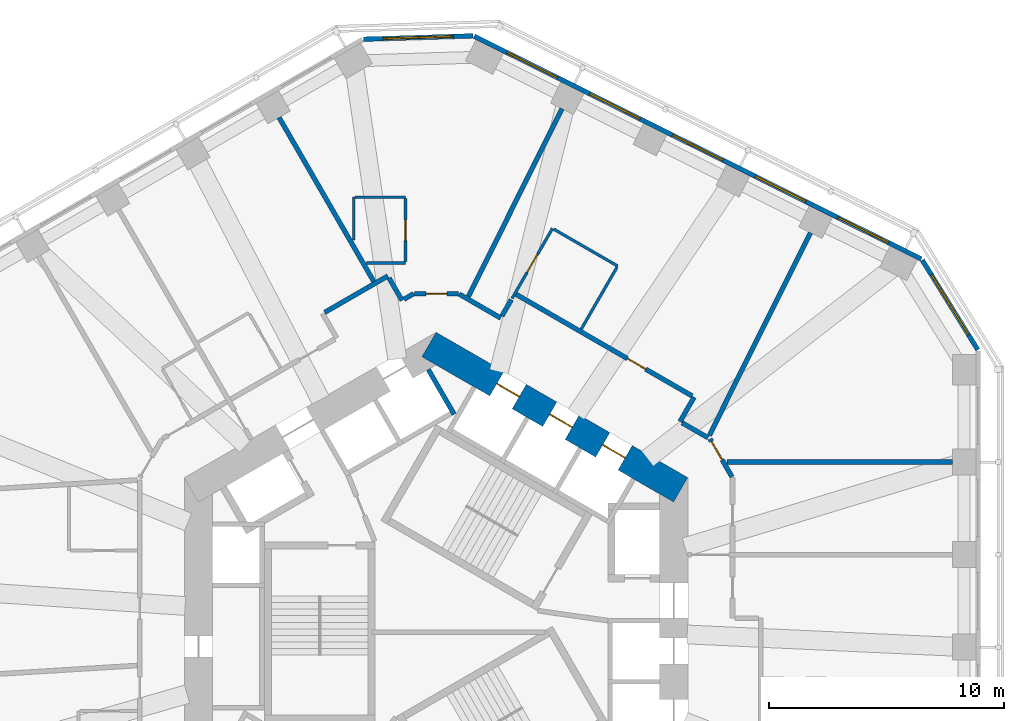
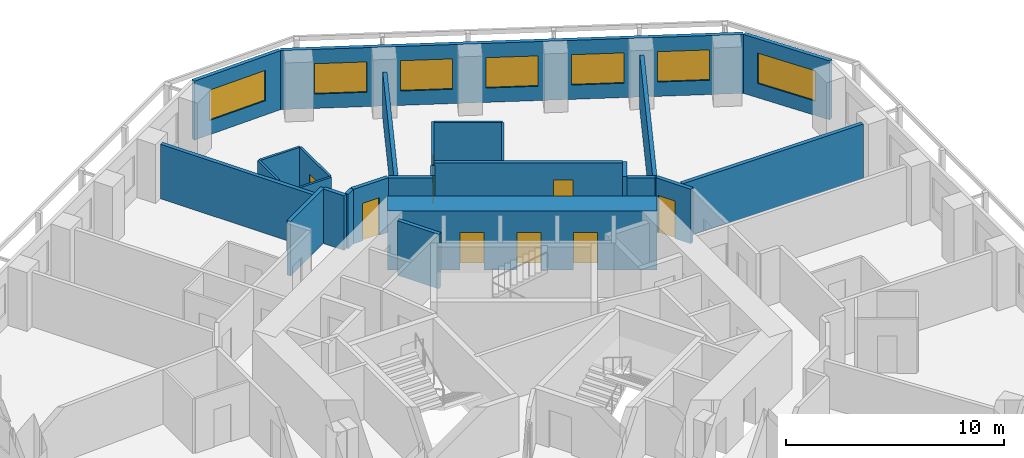
# One storey, part 8 of 11: 26 walls, 8 doors, 7 windows, 15 openings.
"""IFC4 building model written with IfcOpenShell, lengths in metres."""

from ifc_helpers import new_model, si_unit, direction, frame, frame_2d, origin, place, context, subcontext, project, spatial, rectangle, extrude, material, layer, layer_set, type_object, element, fill, save


model = new_model("IFC4")

# Units and contexts
model_context = context("Model", 3, precision=1e-05, world=origin(), true_north=direction((0.0, 1.0)))
body_context = subcontext(model_context, "Body", "Model", "MODEL_VIEW")
ifc_project = project(units=[si_unit("LENGTHUNIT", "METRE"), si_unit("AREAUNIT", "SQUARE_METRE"), si_unit("VOLUMEUNIT", "CUBIC_METRE"), si_unit("PLANEANGLEUNIT", "RADIAN"), si_unit("MASSUNIT", "GRAM", prefix="KILO")], contexts=[model_context])

# Site, building, storey
site_placement = place(None, origin())
site = spatial("IfcSite", under=ifc_project, at=site_placement, CompositionType="ELEMENT")
building_placement = place(site_placement, origin())
building = spatial("IfcBuilding", under=site, at=building_placement, Name="Vanh Sen Convention Tower", CompositionType="ELEMENT")
storey_placement = place(building_placement, frame((0.0, 0.0, 100.10009765625)))
storey = spatial("IfcBuildingStorey", under=building, at=storey_placement, Name="L23", CompositionType="ELEMENT", Elevation=100.10009765625)

# Walls
ifc_material_1 = material(Name="Moisture-resistant gypsum board on steel studs", Category="steel")
ifc_layer_1 = layer(ifc_material_1, 0.1201171875)
ifc_layer_set_1 = layer_set([ifc_layer_1], Name="Moisture-resistant gypsum board on steel studs")
wall_type_1 = type_object("IfcWallType", Name="Bathroom partition 120", PredefinedType="PARTITIONING", material=ifc_layer_set_1)
wall_1_placement = place(storey_placement, frame((-3.5, 16.271484375, 0.0), z_axis=(0.0, 0.0, 1.0), x_axis=(0.0, 1.0, 0.0)))
element("IfcWall", 1, at=wall_1_placement, inside=storey, type_object=wall_type_1, Name="Bathroom partition 120", PredefinedType="PARTITIONING", context=body_context, shape_type="SweptSolid", body=[
    extrude(rectangle(XDim=1.8291015625, YDim=0.1201171875, at=frame_2d((0.91455078125, 0.0))), origin(), (0.0, 0.0, 1.0), 3.0498046875),
])
wall_2_placement = place(storey_placement, frame((-3.43994140625, 18.1005859375, 0.0), z_axis=(0.0, 0.0, 1.0), x_axis=(1.0, 0.0, 0.0)))
element("IfcWall", 2, at=wall_2_placement, inside=storey, type_object=wall_type_1, Name="Bathroom partition 120", PredefinedType="PARTITIONING", context=body_context, shape_type="SweptSolid", body=[
    extrude(rectangle(XDim=2.139892578125, YDim=0.1201171875, at=frame_2d((1.06982421875, 0.0))), origin(), (0.0, 0.0, 1.0), 3.0498046875),
])
wall_3_placement = place(storey_placement, frame((-1.300048828125, 15.30078125, 0.0), z_axis=(0.0, 0.0, 1.0), x_axis=(-1.0, 0.0, 0.0)))
element("IfcWall", 3, at=wall_3_placement, inside=storey, type_object=wall_type_1, Name="Bathroom partition 120", PredefinedType="PARTITIONING", context=body_context, shape_type="SweptSolid", body=[
    extrude(rectangle(XDim=1.6611328125, YDim=0.1201171875, at=frame_2d((0.83056640625, 0.0))), origin(), (0.0, 0.0, 1.0), 3.0498046875),
])

# Wall, opening, door
wall_4_placement = place(storey_placement, frame((-1.300048828125, 18.040771484375, 0.0), z_axis=(0.0, 0.0, 1.0), x_axis=(0.0, -1.0, 0.0)))
wall_4 = element("IfcWall", 4, at=wall_4_placement, inside=storey, type_object=wall_type_1, Name="Bathroom partition 120", PredefinedType="PARTITIONING", context=body_context, shape_type="SweptSolid", body=[
    extrude(rectangle(XDim=2.68017578125, YDim=0.1201171875, at=frame_2d((1.340087890625, 0.0))), origin(), (0.0, 0.0, 1.0), 3.0498046875),
])
opening_1_placement = place(wall_4_placement, frame((0.889892578125, 0.0, 0.0)))
opening_1 = element("IfcOpeningElement", 5, at=opening_1_placement, cuts=wall_4, Name="Opening D22108", PredefinedType="OPENING", context=body_context, shape_type="SweptSolid", body=[
    extrude(rectangle(XDim=0.89990234375, YDim=2.10009765625, at=frame_2d((0.449951171875, 1.050048828125))), frame((0.0, 0.070068359375, 0.0), z_axis=(0.0, -1.0, 0.0), x_axis=(1.0, 0.0, 0.0)), (0.0, 0.0, 1.0), 0.14013671875),
])
ifc_material_2 = material(Name="Laminate door in steel frame", Category="steel")
door_type_1 = type_object("IfcDoorType", Name="En-suite door 900", OperationType="SINGLE_SWING_LEFT", PredefinedType="DOOR", material=ifc_material_2)
door_1_placement = place(opening_1_placement, origin())
door_1 = element("IfcDoor", 6, at=door_1_placement, inside=storey, type_object=door_type_1, Name="En-suite door D22108", OperationType="SINGLE_SWING_LEFT", OverallHeight=2.10009765625, OverallWidth=0.89990234375, PredefinedType="DOOR", context=body_context, shape_type="SweptSolid", body=[
    extrude(rectangle(XDim=0.89990234375, YDim=2.10009765625, at=frame_2d((0.449951171875, 1.050048828125))), frame((0.0, 0.02490234375, 0.0), z_axis=(0.0, -1.0, 0.0), x_axis=(1.0, 0.0, 0.0)), (0.0, 0.0, 1.0), 0.050048828125),
])
fill(opening_1, door_1)

wall_5_placement = place(storey_placement, frame((3.232177734375, 13.800048828125, 0.0), z_axis=(0.0, 0.0, 1.0), x_axis=(0.499993265928, 0.866029291668, 0.0)))
wall_5 = element("IfcWall", 7, at=wall_5_placement, inside=storey, type_object=wall_type_1, Name="Bathroom partition 120", PredefinedType="PARTITIONING", context=body_context, shape_type="SweptSolid", body=[
    extrude(rectangle(XDim=3.43359375, YDim=0.1201171875, at=frame_2d((1.716796875, 0.0))), origin(), (0.0, 0.0, 1.0), 3.0498046875),
])
opening_2_placement = place(wall_5_placement, frame((1.266845703125, 0.0, 0.0)))
opening_2 = element("IfcOpeningElement", 8, at=opening_2_placement, cuts=wall_5, Name="Opening D22106", PredefinedType="OPENING", context=body_context, shape_type="SweptSolid", body=[
    extrude(rectangle(XDim=0.89990234375, YDim=2.10009765625, at=frame_2d((0.449951171875, 1.050048828125))), frame((0.0, 0.070068359375, 0.0), z_axis=(0.0, -1.0, 0.0), x_axis=(1.0, 0.0, 0.0)), (0.0, 0.0, 1.0), 0.14013671875),
])
door_2_placement = place(opening_2_placement, origin())
door_2 = element("IfcDoor", 9, at=door_2_placement, inside=storey, type_object=door_type_1, Name="En-suite door D22106", OperationType="SINGLE_SWING_LEFT", OverallHeight=2.10009765625, OverallWidth=0.89990234375, PredefinedType="DOOR", context=body_context, shape_type="SweptSolid", body=[
    extrude(rectangle(XDim=0.89990234375, YDim=2.10009765625, at=frame_2d((0.449951171875, 1.050048828125))), frame((0.0, 0.02490234375, 0.0), z_axis=(0.0, -1.0, 0.0), x_axis=(1.0, 0.0, 0.0)), (0.0, 0.0, 1.0), 0.050048828125),
])
fill(opening_2, door_2)

# Walls
wall_6_placement = place(storey_placement, frame((5.0009765625, 16.743896484375, 0.0), z_axis=(0.0, 0.0, 1.0), x_axis=(0.866009488468, -0.500027565123, 0.0)))
element("IfcWall", 10, at=wall_6_placement, inside=storey, type_object=wall_type_1, Name="Bathroom partition 120", PredefinedType="PARTITIONING", context=body_context, shape_type="SweptSolid", body=[
    extrude(rectangle(XDim=3.139892578125, YDim=0.1201171875, at=frame_2d((1.56982421875, 0.0))), origin(), (0.0, 0.0, 1.0), 3.0498046875),
])
wall_7_placement = place(storey_placement, frame((7.690185546875, 15.121826171875, 0.0), z_axis=(0.0, 0.0, 1.0), x_axis=(-0.499991248344, -0.866030456496, 0.0)))
element("IfcWall", 11, at=wall_7_placement, inside=storey, type_object=wall_type_1, Name="Bathroom partition 120", PredefinedType="PARTITIONING", context=body_context, shape_type="SweptSolid", body=[
    extrude(rectangle(XDim=3.0400390625, YDim=0.1201171875, at=frame_2d((1.52001953125, 0.0))), origin(), (0.0, 0.0, 1.0), 3.0498046875),
])

# Wall, openings, doors
ifc_material_3 = material(Name="Concrete C80/95", Category="concrete")
ifc_layer_2 = layer(ifc_material_3, 1.199951171875)
ifc_layer_set_2 = layer_set([ifc_layer_2], Name="Concrete C80/95")
wall_type_2 = type_object("IfcWallType", Name="Core outer wall 1200 C80/95", PredefinedType="SHEAR", material=ifc_layer_set_2)
wall_8_placement = place(storey_placement, frame((10.39990234375, 5.657958984375, 0.0), z_axis=(0.0, 0.0, 1.0), x_axis=(-0.866021384402, 0.500006961711, 0.0)))
wall_8 = element("IfcWall", 12, at=wall_8_placement, inside=storey, type_object=wall_type_2, Name="Core wall face NE L23", PredefinedType="SHEAR", context=body_context, shape_type="SweptSolid", body=[
    extrude(rectangle(XDim=12.355224609375, YDim=1.199951171875, at=frame_2d((6.177734375, 0.0))), origin(), (0.0, 0.0, 1.0), 3.2998046875),
])
opening_3_placement = place(wall_8_placement, frame((2.727783203125, 0.0, 0.0)))
opening_3 = element("IfcOpeningElement", 13, at=opening_3_placement, cuts=wall_8, Name="Opening LD-LR3", PredefinedType="OPENING", context=body_context, shape_type="SweptSolid", body=[
    extrude(rectangle(XDim=1.10009765625, YDim=2.10009765625, at=frame_2d((0.550048828125, 1.050048828125))), frame((0.0, 0.60986328125, 0.0), z_axis=(0.0, -1.0, 0.0), x_axis=(1.0, 0.0, 0.0)), (0.0, 0.0, 1.0), 1.219970703125),
])
opening_4_placement = place(wall_8_placement, frame((5.32763671875, 0.0, 0.0)))
opening_4 = element("IfcOpeningElement", 14, at=opening_4_placement, cuts=wall_8, Name="Opening LD-LR4", PredefinedType="OPENING", context=body_context, shape_type="SweptSolid", body=[
    extrude(rectangle(XDim=1.10009765625, YDim=2.10009765625, at=frame_2d((0.550048828125, 1.050048828125))), frame((0.0, 0.60986328125, 0.0), z_axis=(0.0, -1.0, 0.0), x_axis=(1.0, 0.0, 0.0)), (0.0, 0.0, 1.0), 1.219970703125),
])
opening_5_placement = place(wall_8_placement, frame((7.927734375, 0.0, 0.0)))
opening_5 = element("IfcOpeningElement", 15, at=opening_5_placement, cuts=wall_8, Name="Opening LD-LR5", PredefinedType="OPENING", context=body_context, shape_type="SweptSolid", body=[
    extrude(rectangle(XDim=1.10009765625, YDim=2.10009765625, at=frame_2d((0.550048828125, 1.050048828125))), frame((0.0, 0.60986328125, 0.0), z_axis=(0.0, -1.0, 0.0), x_axis=(1.0, 0.0, 0.0)), (0.0, 0.0, 1.0), 1.219970703125),
])
ifc_material_4 = material(Name="Stainless steel", Category="steel")
door_type_2 = type_object("IfcDoorType", Name="Lift landing door 1100", OperationType="DOUBLE_DOOR_SLIDING", PredefinedType="DOOR", material=ifc_material_4)
door_3_placement = place(opening_3_placement, origin())
door_3 = element("IfcDoor", 16, at=door_3_placement, inside=storey, type_object=door_type_2, Name="Lift LR3 landing door LD-LR3", OperationType="DOUBLE_DOOR_SLIDING", OverallHeight=2.10009765625, OverallWidth=1.10009765625, PredefinedType="DOOR", context=body_context, shape_type="SweptSolid", body=[
    extrude(rectangle(XDim=1.10009765625, YDim=2.10009765625, at=frame_2d((0.550048828125, 1.050048828125))), frame((0.0, 0.02490234375, 0.0), z_axis=(0.0, -1.0, 0.0), x_axis=(1.0, 0.0, 0.0)), (0.0, 0.0, 1.0), 0.050048828125),
])
fill(opening_3, door_3)
door_4_placement = place(opening_4_placement, origin())
door_4 = element("IfcDoor", 17, at=door_4_placement, inside=storey, type_object=door_type_2, Name="Lift LR4 landing door LD-LR4", OperationType="DOUBLE_DOOR_SLIDING", OverallHeight=2.10009765625, OverallWidth=1.10009765625, PredefinedType="DOOR", context=body_context, shape_type="SweptSolid", body=[
    extrude(rectangle(XDim=1.10009765625, YDim=2.10009765625, at=frame_2d((0.550048828125, 1.050048828125))), frame((0.0, 0.02490234375, 0.0), z_axis=(0.0, -1.0, 0.0), x_axis=(1.0, 0.0, 0.0)), (0.0, 0.0, 1.0), 0.050048828125),
])
fill(opening_4, door_4)
door_5_placement = place(opening_5_placement, origin())
door_5 = element("IfcDoor", 18, at=door_5_placement, inside=storey, type_object=door_type_2, Name="Lift LR5 landing door LD-LR5", OperationType="DOUBLE_DOOR_SLIDING", OverallHeight=2.10009765625, OverallWidth=1.10009765625, PredefinedType="DOOR", context=body_context, shape_type="SweptSolid", body=[
    extrude(rectangle(XDim=1.10009765625, YDim=2.10009765625, at=frame_2d((0.550048828125, 1.050048828125))), frame((0.0, 0.02490234375, 0.0), z_axis=(0.0, -1.0, 0.0), x_axis=(1.0, 0.0, 0.0)), (0.0, 0.0, 1.0), 0.050048828125),
])
fill(opening_5, door_5)

# Walls
ifc_material_5 = material(Name="Gypsum board on steel studs with mineral wool", Category="steel")
ifc_layer_3 = layer(ifc_material_5, 0.199951171875)
ifc_layer_set_3 = layer_set([ifc_layer_3], Name="Gypsum board on steel studs with mineral wool")
wall_type_3 = type_object("IfcWallType", Name="Corridor partition wall 200", PredefinedType="PARTITIONING", material=ifc_layer_set_3)
wall_9_placement = place(storey_placement, frame((-2.0498046875, 14.75244140625, 0.0), z_axis=(0.0, 0.0, 1.0), x_axis=(-0.866030936828, -0.499990416364, 0.0)))
element("IfcWall", 19, at=wall_9_placement, inside=storey, type_object=wall_type_3, Name="Corridor partition wall 200", PredefinedType="PARTITIONING", context=body_context, shape_type="SweptSolid", body=[
    extrude(rectangle(XDim=3.10205078125, YDim=0.199951171875, at=frame_2d((1.551025390625, 0.0))), origin(), (0.0, 0.0, 1.0), 3.0498046875),
])
wall_10_placement = place(storey_placement, frame((-1.449462890625, 13.71240234375, 0.0), z_axis=(0.0, 0.0, 1.0), x_axis=(-0.499978356969, 0.866037899034, 0.0)))
element("IfcWall", 20, at=wall_10_placement, inside=storey, type_object=wall_type_3, Name="Corridor partition wall 200", PredefinedType="PARTITIONING", context=body_context, shape_type="SweptSolid", body=[
    extrude(rectangle(XDim=1.10107421875, YDim=0.199951171875, at=frame_2d((0.550537109375, 0.0))), origin(), (0.0, 0.0, 1.0), 3.0498046875),
])
wall_11_placement = place(storey_placement, frame((-0.949951171875, 14.000732421875, 0.0), z_axis=(0.0, 0.0, 1.0), x_axis=(-0.86609177584, -0.499885022602, 0.0)))
element("IfcWall", 21, at=wall_11_placement, inside=storey, type_object=wall_type_3, Name="Corridor partition wall 200", PredefinedType="PARTITIONING", context=body_context, shape_type="SweptSolid", body=[
    extrude(rectangle(XDim=0.4765625, YDim=0.199951171875, at=frame_2d((0.23828125, 0.0))), origin(), (0.0, 0.0, 1.0), 3.0498046875),
])

# Wall, opening, door
wall_12_placement = place(storey_placement, frame((0.949951171875, 14.000732421875, 0.0), z_axis=(0.0, 0.0, 1.0), x_axis=(-1.0, 0.0, 0.0)))
wall_12 = element("IfcWall", 22, at=wall_12_placement, inside=storey, type_object=wall_type_3, Name="Corridor partition wall 200", PredefinedType="PARTITIONING", context=body_context, shape_type="SweptSolid", body=[
    extrude(rectangle(XDim=1.85986328125, YDim=0.199951171875, at=frame_2d((0.929931640625, 0.0))), origin(), (0.0, 0.0, 1.0), 3.0498046875),
])
opening_6_placement = place(wall_12_placement, frame((0.47998046875, 0.0, 0.0)))
opening_6 = element("IfcOpeningElement", 23, at=opening_6_placement, cuts=wall_12, Name="Opening D22107", PredefinedType="OPENING", context=body_context, shape_type="SweptSolid", body=[
    extrude(rectangle(XDim=0.89990234375, YDim=2.10009765625, at=frame_2d((0.449951171875, 1.050048828125))), frame((0.0, 0.10986328125, 0.0), z_axis=(0.0, -1.0, 0.0), x_axis=(1.0, 0.0, 0.0)), (0.0, 0.0, 1.0), 0.219970703125),
])
ifc_material_6 = material(Name="Timber fire door in steel frame", Category="steel")
door_type_3 = type_object("IfcDoorType", Name="Guest room door 900", OperationType="SINGLE_SWING_LEFT", PredefinedType="DOOR", material=ifc_material_6)
door_6_placement = place(opening_6_placement, origin())
door_6 = element("IfcDoor", 24, at=door_6_placement, inside=storey, type_object=door_type_3, Name="Hotel guest room door D22107", OperationType="SINGLE_SWING_LEFT", OverallHeight=2.10009765625, OverallWidth=0.89990234375, PredefinedType="DOOR", context=body_context, shape_type="SweptSolid", body=[
    extrude(rectangle(XDim=0.89990234375, YDim=2.10009765625, at=frame_2d((0.449951171875, 1.050048828125))), frame((0.0, 0.02490234375, 0.0), z_axis=(0.0, -1.0, 0.0), x_axis=(1.0, 0.0, 0.0)), (0.0, 0.0, 1.0), 0.050048828125),
])
fill(opening_6, door_6)

# Walls
wall_13_placement = place(storey_placement, frame((2.748291015625, 12.96240234375, 0.0), z_axis=(0.0, 0.0, 1.0), x_axis=(-0.866013897511, 0.50001992892, 0.0)))
element("IfcWall", 25, at=wall_13_placement, inside=storey, type_object=wall_type_3, Name="Corridor partition wall 200", PredefinedType="PARTITIONING", context=body_context, shape_type="SweptSolid", body=[
    extrude(rectangle(XDim=2.03662109375, YDim=0.199951171875, at=frame_2d((1.018310546875, 0.0))), origin(), (0.0, 0.0, 1.0), 3.0498046875),
])
wall_14_placement = place(storey_placement, frame((3.198974609375, 13.74267578125, 0.0), z_axis=(0.0, 0.0, 1.0), x_axis=(-0.500170954823, -0.865926680471, 0.0)))
element("IfcWall", 26, at=wall_14_placement, inside=storey, type_object=wall_type_3, Name="Corridor partition wall 200", PredefinedType="PARTITIONING", context=body_context, shape_type="SweptSolid", body=[
    extrude(rectangle(XDim=0.801025390625, YDim=0.199951171875, at=frame_2d((0.400390625, 0.0))), origin(), (0.0, 0.0, 1.0), 3.0498046875),
])
wall_15_placement = place(storey_placement, frame((10.37109375, 8.561279296875, 0.0), z_axis=(0.0, 0.0, 1.0), x_axis=(0.499986357472, 0.866033280158, 0.0)))
element("IfcWall", 27, at=wall_15_placement, inside=storey, type_object=wall_type_3, Name="Corridor partition wall 200", PredefinedType="PARTITIONING", context=body_context, shape_type="SweptSolid", body=[
    extrude(rectangle(XDim=1.201171875, YDim=0.199951171875, at=frame_2d((0.6005859375, 0.0))), origin(), (0.0, 0.0, 1.0), 3.0498046875),
])

# Wall, opening, door
wall_16_placement = place(storey_placement, frame((10.885009765625, 9.651611328125, 0.0), z_axis=(0.0, 0.0, 1.0), x_axis=(-0.866033630405, 0.499985750804, 0.0)))
wall_16 = element("IfcWall", 28, at=wall_16_placement, inside=storey, type_object=wall_type_3, Name="Corridor partition wall 200", PredefinedType="PARTITIONING", context=body_context, shape_type="SweptSolid", body=[
    extrude(rectangle(XDim=8.641845703125, YDim=0.199951171875, at=frame_2d((4.32080078125, 0.0))), origin(), (0.0, 0.0, 1.0), 3.0498046875),
])
opening_7_placement = place(wall_16_placement, frame((2.27587890625, 0.0, 0.0)))
opening_7 = element("IfcOpeningElement", 29, at=opening_7_placement, cuts=wall_16, Name="Opening D22105", PredefinedType="OPENING", context=body_context, shape_type="SweptSolid", body=[
    extrude(rectangle(XDim=0.89990234375, YDim=2.10009765625, at=frame_2d((0.449951171875, 1.050048828125))), frame((0.0, 0.10986328125, 0.0), z_axis=(0.0, -1.0, 0.0), x_axis=(1.0, 0.0, 0.0)), (0.0, 0.0, 1.0), 0.219970703125),
])
door_7_placement = place(opening_7_placement, origin())
door_7 = element("IfcDoor", 30, at=door_7_placement, inside=storey, type_object=door_type_3, Name="Hotel guest room door D22105", OperationType="SINGLE_SWING_LEFT", OverallHeight=2.10009765625, OverallWidth=0.89990234375, PredefinedType="DOOR", context=body_context, shape_type="SweptSolid", body=[
    extrude(rectangle(XDim=0.89990234375, YDim=2.10009765625, at=frame_2d((0.449951171875, 1.050048828125))), frame((0.0, 0.02490234375, 0.0), z_axis=(0.0, -1.0, 0.0), x_axis=(1.0, 0.0, 0.0)), (0.0, 0.0, 1.0), 0.050048828125),
])
fill(opening_7, door_7)

# Wall
wall_17_placement = place(storey_placement, frame((11.56640625, 7.871337890625, 0.0), z_axis=(0.0, 0.0, 1.0), x_axis=(-0.866004557827, 0.500036104519, 0.0)))
element("IfcWall", 31, at=wall_17_placement, inside=storey, type_object=wall_type_3, Name="Corridor partition wall 200", PredefinedType="PARTITIONING", context=body_context, shape_type="SweptSolid", body=[
    extrude(rectangle(XDim=1.2802734375, YDim=0.199951171875, at=frame_2d((0.64013671875, 0.0))), origin(), (0.0, 0.0, 1.0), 3.0498046875),
])

# Wall, opening, door
wall_18_placement = place(storey_placement, frame((12.580078125, 6.212158203125, 0.0), z_axis=(0.0, 0.0, 1.0), x_axis=(-0.500063286585, 0.865988862174, 0.0)))
wall_18 = element("IfcWall", 32, at=wall_18_placement, inside=storey, type_object=wall_type_3, Name="Corridor partition wall 200", PredefinedType="PARTITIONING", context=body_context, shape_type="SweptSolid", body=[
    extrude(rectangle(XDim=1.860107421875, YDim=0.199951171875, at=frame_2d((0.93017578125, 0.0))), origin(), (0.0, 0.0, 1.0), 3.0498046875),
])
opening_8_placement = place(wall_18_placement, frame((0.841796875, 0.0, 0.0)))
opening_8 = element("IfcOpeningElement", 33, at=opening_8_placement, cuts=wall_18, Name="Opening D22104", PredefinedType="OPENING", context=body_context, shape_type="SweptSolid", body=[
    extrude(rectangle(XDim=0.89990234375, YDim=2.10009765625, at=frame_2d((0.449951171875, 1.050048828125))), frame((0.0, 0.10986328125, 0.0), z_axis=(0.0, -1.0, 0.0), x_axis=(1.0, 0.0, 0.0)), (0.0, 0.0, 1.0), 0.219970703125),
])
door_type_4 = type_object("IfcDoorType", Name="Floor room door 900", OperationType="SINGLE_SWING_LEFT", PredefinedType="DOOR", material=ifc_material_6)
door_8_placement = place(opening_8_placement, origin())
door_8 = element("IfcDoor", 34, at=door_8_placement, inside=storey, type_object=door_type_4, Name="Meeting and amenity room door D22104", OperationType="SINGLE_SWING_LEFT", OverallHeight=2.10009765625, OverallWidth=0.89990234375, PredefinedType="DOOR", context=body_context, shape_type="SweptSolid", body=[
    extrude(rectangle(XDim=0.89990234375, YDim=2.10009765625, at=frame_2d((0.449951171875, 1.050048828125))), frame((0.0, 0.02490234375, 0.0), z_axis=(0.0, -1.0, 0.0), x_axis=(1.0, 0.0, 0.0)), (0.0, 0.0, 1.0), 0.050048828125),
])
fill(opening_8, door_8)

# Wall, opening, window
ifc_material_7 = material(Name="Insulated lightweight infill wall")
ifc_layer_4 = layer(ifc_material_7, 0.199951171875)
ifc_layer_set_4 = layer_set([ifc_layer_4], Name="Insulated lightweight infill wall")
wall_type_4 = type_object("IfcWallType", Name="External wall 200", PredefinedType="STANDARD", material=ifc_layer_set_4)
wall_19_placement = place(storey_placement, frame((23.034912109375, 11.612060546875, 0.0), z_axis=(0.0, 0.0, 1.0), x_axis=(-0.526160091227, 0.850385535155, 0.0)))
wall_19 = element("IfcWall", 35, at=wall_19_placement, inside=storey, type_object=wall_type_4, Name="External wall CH1 L23", PredefinedType="STANDARD", context=body_context, shape_type="SweptSolid", body=[
    extrude(rectangle(XDim=4.493896484375, YDim=0.199951171875, at=frame_2d((2.2470703125, 0.0))), origin(), (0.0, 0.0, 1.0), 3.2998046875),
])
opening_9_placement = place(wall_19_placement, frame((0.746826171875, 0.0, 0.800048828125)))
opening_9 = element("IfcOpeningElement", 36, at=opening_9_placement, cuts=wall_19, Name="Opening WH2-CH11", PredefinedType="OPENING", context=body_context, shape_type="SweptSolid", body=[
    extrude(rectangle(XDim=3.0, YDim=1.699951171875, at=frame_2d((1.5, 0.85009765625))), frame((0.0, 0.10986328125, 0.0), z_axis=(0.0, -1.0, 0.0), x_axis=(1.0, 0.0, 0.0)), (0.0, 0.0, 1.0), 0.219970703125),
])
ifc_material_8 = material(Name="Aluminium frame with clear low-emissivity glass", Category="aluminium")
window_type_1 = type_object("IfcWindowType", Name="Hotel window 3000 x 1700", PartitioningType="SINGLE_PANEL", PredefinedType="WINDOW", material=ifc_material_8)
window_1_placement = place(opening_9_placement, origin())
window_1 = element("IfcWindow", 37, at=window_1_placement, inside=storey, type_object=window_type_1, Name="Window WH2-CH11", OverallHeight=1.699951171875, OverallWidth=3.0, PartitioningType="SINGLE_PANEL", PredefinedType="WINDOW", context=body_context, shape_type="SweptSolid", body=[
    extrude(rectangle(XDim=3.0, YDim=1.699951171875, at=frame_2d((1.5, 0.85009765625))), frame((0.0, 0.030029296875, 0.0), z_axis=(0.0, -1.0, 0.0), x_axis=(1.0, 0.0, 0.0)), (0.0, 0.0, 1.0), 0.06005859375),
])
fill(opening_9, window_1)

# Wall, openings, windows
wall_20_placement = place(storey_placement, frame((20.6298828125, 15.470458984375, 0.0), z_axis=(0.0, 0.0, 1.0), x_axis=(-0.894934518609, 0.446197498203, 0.0)))
wall_20 = element("IfcWall", 38, at=wall_20_placement, inside=storey, type_object=wall_type_4, Name="External wall NE L23", PredefinedType="STANDARD", context=body_context, shape_type="SweptSolid", body=[
    extrude(rectangle(XDim=21.24609375, YDim=0.199951171875, at=frame_2d((10.623046875, 0.0))), origin(), (0.0, 0.0, 1.0), 3.2998046875),
])
opening_10_placement = place(wall_20_placement, frame((1.552978515625, 0.0, 0.800048828125)))
opening_10 = element("IfcOpeningElement", 39, at=opening_10_placement, cuts=wall_20, Name="Opening WH1-NE1", PredefinedType="OPENING", context=body_context, shape_type="SweptSolid", body=[
    extrude(rectangle(XDim=2.39990234375, YDim=1.699951171875, at=frame_2d((1.199951171875, 0.85009765625))), frame((0.0, 0.10986328125, 0.0), z_axis=(0.0, -1.0, 0.0), x_axis=(1.0, 0.0, 0.0)), (0.0, 0.0, 1.0), 0.219970703125),
])
opening_11_placement = place(wall_20_placement, frame((5.48779296875, 0.0, 0.800048828125)))
opening_11 = element("IfcOpeningElement", 40, at=opening_11_placement, cuts=wall_20, Name="Opening WH1-NE2", PredefinedType="OPENING", context=body_context, shape_type="SweptSolid", body=[
    extrude(rectangle(XDim=2.39990234375, YDim=1.699951171875, at=frame_2d((1.199951171875, 0.85009765625))), frame((0.0, 0.10986328125, 0.0), z_axis=(0.0, -1.0, 0.0), x_axis=(1.0, 0.0, 0.0)), (0.0, 0.0, 1.0), 0.219970703125),
])
opening_12_placement = place(wall_20_placement, frame((9.42236328125, 0.0, 0.800048828125)))
opening_12 = element("IfcOpeningElement", 41, at=opening_12_placement, cuts=wall_20, Name="Opening WH1-NE3", PredefinedType="OPENING", context=body_context, shape_type="SweptSolid", body=[
    extrude(rectangle(XDim=2.39990234375, YDim=1.699951171875, at=frame_2d((1.199951171875, 0.85009765625))), frame((0.0, 0.10986328125, 0.0), z_axis=(0.0, -1.0, 0.0), x_axis=(1.0, 0.0, 0.0)), (0.0, 0.0, 1.0), 0.219970703125),
])
opening_13_placement = place(wall_20_placement, frame((13.35693359375, 0.0, 0.800048828125)))
opening_13 = element("IfcOpeningElement", 42, at=opening_13_placement, cuts=wall_20, Name="Opening WH1-NE4", PredefinedType="OPENING", context=body_context, shape_type="SweptSolid", body=[
    extrude(rectangle(XDim=2.39990234375, YDim=1.699951171875, at=frame_2d((1.199951171875, 0.85009765625))), frame((0.0, 0.10986328125, 0.0), z_axis=(0.0, -1.0, 0.0), x_axis=(1.0, 0.0, 0.0)), (0.0, 0.0, 1.0), 0.219970703125),
])
opening_14_placement = place(wall_20_placement, frame((17.29150390625, 0.0, 0.800048828125)))
opening_14 = element("IfcOpeningElement", 43, at=opening_14_placement, cuts=wall_20, Name="Opening WH1-NE5", PredefinedType="OPENING", context=body_context, shape_type="SweptSolid", body=[
    extrude(rectangle(XDim=2.39990234375, YDim=1.699951171875, at=frame_2d((1.199951171875, 0.85009765625))), frame((0.0, 0.10986328125, 0.0), z_axis=(0.0, -1.0, 0.0), x_axis=(1.0, 0.0, 0.0)), (0.0, 0.0, 1.0), 0.219970703125),
])
window_type_2 = type_object("IfcWindowType", Name="Hotel window 2400 x 1700", PartitioningType="SINGLE_PANEL", PredefinedType="WINDOW", material=ifc_material_8)
window_2_placement = place(opening_10_placement, origin())
window_2 = element("IfcWindow", 44, at=window_2_placement, inside=storey, type_object=window_type_2, Name="Window WH1-NE1", OverallHeight=1.699951171875, OverallWidth=2.39990234375, PartitioningType="SINGLE_PANEL", PredefinedType="WINDOW", context=body_context, shape_type="SweptSolid", body=[
    extrude(rectangle(XDim=2.39990234375, YDim=1.699951171875, at=frame_2d((1.199951171875, 0.85009765625))), frame((0.0, 0.030029296875, 0.0), z_axis=(0.0, -1.0, 0.0), x_axis=(1.0, 0.0, 0.0)), (0.0, 0.0, 1.0), 0.06005859375),
])
fill(opening_10, window_2)
window_3_placement = place(opening_11_placement, origin())
window_3 = element("IfcWindow", 45, at=window_3_placement, inside=storey, type_object=window_type_2, Name="Window WH1-NE2", OverallHeight=1.699951171875, OverallWidth=2.39990234375, PartitioningType="SINGLE_PANEL", PredefinedType="WINDOW", context=body_context, shape_type="SweptSolid", body=[
    extrude(rectangle(XDim=2.39990234375, YDim=1.699951171875, at=frame_2d((1.199951171875, 0.85009765625))), frame((0.0, 0.030029296875, 0.0), z_axis=(0.0, -1.0, 0.0), x_axis=(1.0, 0.0, 0.0)), (0.0, 0.0, 1.0), 0.06005859375),
])
fill(opening_11, window_3)
window_4_placement = place(opening_12_placement, origin())
window_4 = element("IfcWindow", 46, at=window_4_placement, inside=storey, type_object=window_type_2, Name="Window WH1-NE3", OverallHeight=1.699951171875, OverallWidth=2.39990234375, PartitioningType="SINGLE_PANEL", PredefinedType="WINDOW", context=body_context, shape_type="SweptSolid", body=[
    extrude(rectangle(XDim=2.39990234375, YDim=1.699951171875, at=frame_2d((1.199951171875, 0.85009765625))), frame((0.0, 0.030029296875, 0.0), z_axis=(0.0, -1.0, 0.0), x_axis=(1.0, 0.0, 0.0)), (0.0, 0.0, 1.0), 0.06005859375),
])
fill(opening_12, window_4)
window_5_placement = place(opening_13_placement, origin())
window_5 = element("IfcWindow", 47, at=window_5_placement, inside=storey, type_object=window_type_2, Name="Window WH1-NE4", OverallHeight=1.699951171875, OverallWidth=2.39990234375, PartitioningType="SINGLE_PANEL", PredefinedType="WINDOW", context=body_context, shape_type="SweptSolid", body=[
    extrude(rectangle(XDim=2.39990234375, YDim=1.699951171875, at=frame_2d((1.199951171875, 0.85009765625))), frame((0.0, 0.030029296875, 0.0), z_axis=(0.0, -1.0, 0.0), x_axis=(1.0, 0.0, 0.0)), (0.0, 0.0, 1.0), 0.06005859375),
])
fill(opening_13, window_5)
window_6_placement = place(opening_14_placement, origin())
window_6 = element("IfcWindow", 48, at=window_6_placement, inside=storey, type_object=window_type_2, Name="Window WH1-NE5", OverallHeight=1.699951171875, OverallWidth=2.39990234375, PartitioningType="SINGLE_PANEL", PredefinedType="WINDOW", context=body_context, shape_type="SweptSolid", body=[
    extrude(rectangle(XDim=2.39990234375, YDim=1.699951171875, at=frame_2d((1.199951171875, 0.85009765625))), frame((0.0, 0.030029296875, 0.0), z_axis=(0.0, -1.0, 0.0), x_axis=(1.0, 0.0, 0.0)), (0.0, 0.0, 1.0), 0.06005859375),
])
fill(opening_14, window_6)

# Wall, opening, window
wall_21_placement = place(storey_placement, frame((1.568359375, 24.9609375, 0.0), z_axis=(0.0, 0.0, 1.0), x_axis=(-0.999533359013, -0.030546099927, 0.0)))
wall_21 = element("IfcWall", 49, at=wall_21_placement, inside=storey, type_object=wall_type_4, Name="External wall CH2 L23", PredefinedType="STANDARD", context=body_context, shape_type="SweptSolid", body=[
    extrude(rectangle(XDim=4.65966796875, YDim=0.199951171875, at=frame_2d((2.329833984375, 0.0))), origin(), (0.0, 0.0, 1.0), 3.2998046875),
])
opening_15_placement = place(wall_21_placement, frame((0.829833984375, 0.0, 0.800048828125)))
opening_15 = element("IfcOpeningElement", 50, at=opening_15_placement, cuts=wall_21, Name="Opening WH2-CH21", PredefinedType="OPENING", context=body_context, shape_type="SweptSolid", body=[
    extrude(rectangle(XDim=3.0, YDim=1.699951171875, at=frame_2d((1.5, 0.85009765625))), frame((0.0, 0.10986328125, 0.0), z_axis=(0.0, -1.0, 0.0), x_axis=(1.0, 0.0, 0.0)), (0.0, 0.0, 1.0), 0.219970703125),
])
window_7_placement = place(opening_15_placement, origin())
window_7 = element("IfcWindow", 51, at=window_7_placement, inside=storey, type_object=window_type_1, Name="Window WH2-CH21", OverallHeight=1.699951171875, OverallWidth=3.0, PartitioningType="SINGLE_PANEL", PredefinedType="WINDOW", context=body_context, shape_type="SweptSolid", body=[
    extrude(rectangle(XDim=3.0, YDim=1.699951171875, at=frame_2d((1.5, 0.85009765625))), frame((0.0, 0.030029296875, 0.0), z_axis=(0.0, -1.0, 0.0), x_axis=(1.0, 0.0, 0.0)), (0.0, 0.0, 1.0), 0.06005859375),
])
fill(opening_15, window_7)

# Walls
ifc_layer_5 = layer(ifc_material_5, 0.199951171875)
ifc_layer_set_5 = layer_set([ifc_layer_5], Name="Gypsum board on steel studs with mineral wool")
wall_type_5 = type_object("IfcWallType", Name="Hotel party wall 200", PredefinedType="PARTITIONING", material=ifc_layer_set_5)
wall_22_placement = place(storey_placement, frame((-6.675537109375, 21.49169921875, 0.0), z_axis=(0.0, 0.0, 1.0), x_axis=(0.500011263043, -0.866018900966, 0.0)))
element("IfcWall", 52, at=wall_22_placement, inside=storey, type_object=wall_type_5, Name="Hotel party wall 200", PredefinedType="PARTITIONING", context=body_context, shape_type="SweptSolid", body=[
    extrude(rectangle(XDim=8.049072265625, YDim=0.199951171875, at=frame_2d((4.0244140625, 0.0))), origin(), (0.0, 0.0, 1.0), 3.0498046875),
])
wall_23_placement = place(storey_placement, frame((5.35107421875, 21.859130859375, 0.0), z_axis=(0.0, 0.0, 1.0), x_axis=(-0.446205309328, -0.894930624086, 0.0)))
element("IfcWall", 53, at=wall_23_placement, inside=storey, type_object=wall_type_5, Name="Hotel party wall 200", PredefinedType="PARTITIONING", context=body_context, shape_type="SweptSolid", body=[
    extrude(rectangle(XDim=8.9130859375, YDim=0.199951171875, at=frame_2d((4.45654296875, 0.0))), origin(), (0.0, 0.0, 1.0), 2.599853515625),
])
wall_24_placement = place(storey_placement, frame((15.91455078125, 16.59228515625, 0.0), z_axis=(0.0, 0.0, 1.0), x_axis=(-0.446199736347, -0.894933402709, 0.0)))
element("IfcWall", 54, at=wall_24_placement, inside=storey, type_object=wall_type_5, Name="Hotel party wall 200", PredefinedType="PARTITIONING", context=body_context, shape_type="SweptSolid", body=[
    extrude(rectangle(XDim=9.634765625, YDim=0.199951171875, at=frame_2d((4.8173828125, 0.0))), origin(), (0.0, 0.0, 1.0), 3.0498046875),
])
wall_25_placement = place(storey_placement, frame((21.949951171875, 6.839111328125, 0.0), z_axis=(0.0, 0.0, 1.0), x_axis=(-1.0, 0.0, 0.0)))
element("IfcWall", 55, at=wall_25_placement, inside=storey, type_object=wall_type_5, Name="Hotel party wall 200", PredefinedType="PARTITIONING", context=body_context, shape_type="SweptSolid", body=[
    extrude(rectangle(XDim=9.57177734375, YDim=0.199951171875, at=frame_2d((4.785888671875, 0.0))), origin(), (0.0, 0.0, 1.0), 3.0498046875),
])
ifc_material_9 = material(Name="Concrete C40/50", Category="concrete")
ifc_layer_6 = layer(ifc_material_9, 0.199951171875)
ifc_layer_set_6 = layer_set([ifc_layer_6], Name="Concrete C40/50")
wall_type_6 = type_object("IfcWallType", Name="Lift shaft wall 200", PredefinedType="PARTITIONING", material=ifc_layer_set_6)
wall_26_placement = place(storey_placement, frame((0.7666015625, 8.8720703125, 0.0), z_axis=(0.0, 0.0, 1.0), x_axis=(-0.499994660107, 0.866028486751, 0.0)))
element("IfcWall", 56, at=wall_26_placement, inside=storey, type_object=wall_type_6, Name="Lift shaft wall L23", PredefinedType="PARTITIONING", context=body_context, shape_type="SweptSolid", body=[
    extrude(rectangle(XDim=2.19970703125, YDim=0.199951171875, at=frame_2d((1.099853515625, 0.0))), origin(), (0.0, 0.0, 1.0), 3.0498046875),
])

save(model, "model.ifc")
